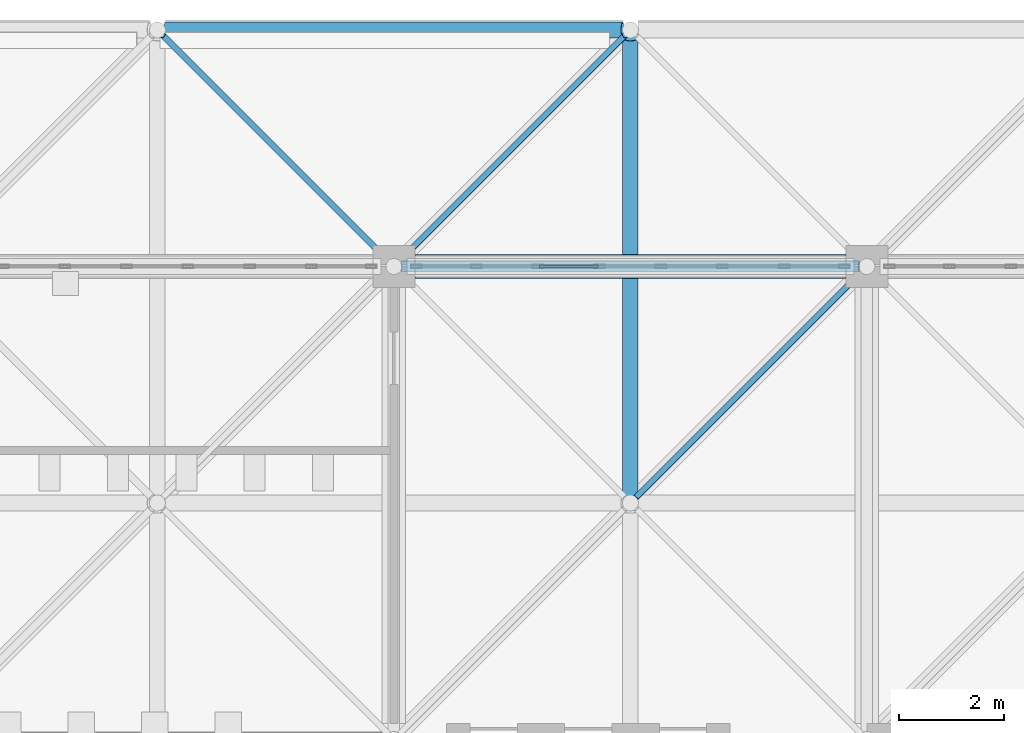
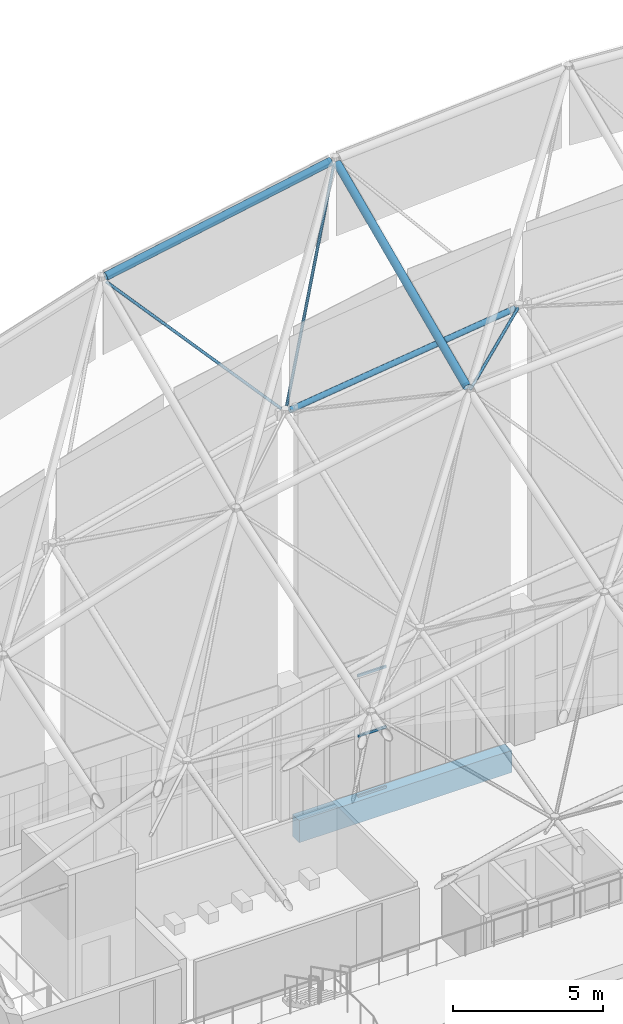
# One storey, part 116 of 437: 9 members, 1 beam, 1 element without a shape of its own.
"""IFC4 building model written with IfcOpenShell, lengths in metres."""

import ifcopenshell
import ifcopenshell.guid

model = None  # the IFC model being written
_history = None  # IfcOwnerHistory: only IFC2X3 demands one
_inside = {}  # id of a spatial element -> (the spatial element, [elements in it])
_under = {}  # id of a project, library or spatial element -> (it, [spatial elements below it])
_declared = {}  # id of a project -> (the project, [libraries it declares])
_typed = {}  # id of a type object -> (the type object, [elements of that type])
_made_of = {}  # id of a material, layer set ... -> (it, [elements and type objects made of it])


def new_model(schema):
    """Start an empty IFC model of exactly this schema.

    Asked for "IFC4X3", IfcOpenShell would pick the latest addendum, in which some entities
    have other attributes; the version numbers below select the first issue.
    IFC2X3 requires an IfcOwnerHistory on every rooted entity: one is made here for all.
    """
    global model, _history
    if schema == "IFC4X3":
        model = ifcopenshell.file(schema_version=(4, 3, 0, 0))
    else:
        model = ifcopenshell.file(schema=schema)
    _inside.clear()
    _under.clear()
    _declared.clear()
    _typed.clear()
    _made_of.clear()
    _history = None
    if model.schema == "IFC2X3":
        org = make("IfcOrganization", Name="unknown")
        user = make(
            "IfcPersonAndOrganization",
            ThePerson=make("IfcPerson", FamilyName="unknown"),
            TheOrganization=org,
        )
        app = make(
            "IfcApplication",
            ApplicationDeveloper=org,
            Version="unknown",
            ApplicationFullName="unknown",
            ApplicationIdentifier="unknown",
        )
        _history = make(
            "IfcOwnerHistory",
            OwningUser=user,
            OwningApplication=app,
            ChangeAction="ADDED",
            CreationDate=0,
        )
    return model


def make(cls, **values):
    """One entity of the class cls with the attributes given. An attribute that is None is left unset."""
    return model.create_entity(
        cls, **{name: value for name, value in values.items() if value is not None}
    )


def rooted(cls, **values):
    """An entity with a GlobalId (a new one), such as an element, a storey or a relation."""
    return make(cls, GlobalId=ifcopenshell.guid.new(), OwnerHistory=_history, **values)


def si_unit(unit_type, name, prefix=None):
    """IfcSIUnit, for example si_unit("LENGTHUNIT", "METRE", prefix="MILLI")."""
    return make("IfcSIUnit", UnitType=unit_type, Prefix=prefix, Name=name)


def assignment(units):
    """IfcUnitAssignment: the units of a project."""
    return None if units is None else make("IfcUnitAssignment", Units=units)


def point(xyz):
    """IfcCartesianPoint."""
    return None if xyz is None else make("IfcCartesianPoint", Coordinates=xyz)


def direction(xyz):
    """IfcDirection."""
    return None if xyz is None else make("IfcDirection", DirectionRatios=xyz)


def frame(location, z_axis=None, x_axis=None):
    """IfcAxis2Placement3D, a coordinate frame: its origin and axes. An axis left out is left unset."""
    return make(
        "IfcAxis2Placement3D",
        Location=point(location),
        Axis=direction(z_axis),
        RefDirection=direction(x_axis),
    )


def frame_2d(location, x_axis=None):
    """IfcAxis2Placement2D, a coordinate frame in the plane: its origin and x axis."""
    return make(
        "IfcAxis2Placement2D", Location=point(location), RefDirection=direction(x_axis)
    )


def origin():
    """The frame at (0, 0, 0) with its axes left unset."""
    return frame((0.0, 0.0, 0.0))


def origin_2d():
    """The frame at (0, 0) in the plane with its x axis left unset."""
    return frame_2d((0.0, 0.0))


def place(relative_to, where):
    """IfcLocalPlacement: puts the frame where relative to a parent placement (None: the world)."""
    return make(
        "IfcLocalPlacement", PlacementRelTo=relative_to, RelativePlacement=where
    )


def context(
    kind, dimensions, precision=None, world=None, true_north=None, identifier=None
):
    """IfcGeometricRepresentationContext, for example the 3D "Model" context."""
    return make(
        "IfcGeometricRepresentationContext",
        ContextIdentifier=identifier,
        ContextType=kind,
        CoordinateSpaceDimension=dimensions,
        Precision=precision,
        WorldCoordinateSystem=world,
        TrueNorth=true_north,
    )


def subcontext(parent, identifier, kind, view, scale=None):
    """IfcGeometricRepresentationSubContext, for example "Body" below "Model"."""
    return make(
        "IfcGeometricRepresentationSubContext",
        ContextIdentifier=identifier,
        ContextType=kind,
        ParentContext=parent,
        TargetScale=scale,
        TargetView=view,
    )


def project(units=None, contexts=None):
    """IfcProject with its units and contexts."""
    return rooted(
        "IfcProject",
        Name="project",
        RepresentationContexts=contexts,
        UnitsInContext=assignment(units),
    )


def spatial(cls, under=None, at=None, **own):
    """A site, building, storey or space (cls), placed at a placement, below another one or the project."""
    s = rooted(cls, ObjectPlacement=at, **own)
    if under is not None:
        _under.setdefault(under.id(), (under, []))[1].append(s)
    return s


def profile(cls, at=None, kind="AREA", **sizes):
    """A parametric profile (cls). Its sizes go by their IFC names, for example OverallWidth=200.0."""
    return make(cls, ProfileType=kind, Position=at, **sizes)


def rectangle(**sizes):
    """IfcRectangleProfileDef."""
    return profile("IfcRectangleProfileDef", **sizes)


def hollow_rectangle(**sizes):
    """IfcRectangleHollowProfileDef."""
    return profile("IfcRectangleHollowProfileDef", **sizes)


def hollow_circle(**sizes):
    """IfcCircleHollowProfileDef."""
    return profile("IfcCircleHollowProfileDef", **sizes)


def extrude(swept, where, along, depth):
    """IfcExtrudedAreaSolid: the profile swept, set in the frame where, extruded along a direction by depth."""
    return make(
        "IfcExtrudedAreaSolid",
        SweptArea=swept,
        Position=where,
        ExtrudedDirection=direction(along),
        Depth=depth,
    )


def shape(context_of_items, identifier, shape_type, items):
    """IfcShapeRepresentation: the items that make up one representation, for example the "Body"."""
    return make(
        "IfcShapeRepresentation",
        ContextOfItems=context_of_items,
        RepresentationIdentifier=identifier,
        RepresentationType=shape_type,
        Items=items,
    )


def material(Name=None, Category=None):
    """IfcMaterial."""
    return make("IfcMaterial", Name=Name, Category=Category)


def layer(
    of_material, thickness, ventilated=None, Name=None, Category=None, Priority=None
):
    """IfcMaterialLayer: one layer of a wall or slab, of a material (None: an air gap)."""
    return make(
        "IfcMaterialLayer",
        Material=of_material,
        LayerThickness=thickness,
        IsVentilated=ventilated,
        Name=Name,
        Category=Category,
        Priority=Priority,
    )


def layer_set(layers, Name=None):
    """IfcMaterialLayerSet."""
    return make("IfcMaterialLayerSet", MaterialLayers=layers, LayerSetName=Name)


def material_profile(
    of_material, cross_section, Name=None, Category=None, Priority=None
):
    """IfcMaterialProfile: a cross section and its material."""
    return make(
        "IfcMaterialProfile",
        Name=Name,
        Material=of_material,
        Profile=cross_section,
        Priority=Priority,
        Category=Category,
    )


def profile_set(profiles, Name=None, composite=None):
    """IfcMaterialProfileSet."""
    return make(
        "IfcMaterialProfileSet",
        Name=Name,
        MaterialProfiles=profiles,
        CompositeProfile=composite,
    )


def made_of(thing, what):
    """Note that an element or type object is made of a material, layer set ...; save() writes the relation."""
    if what is not None:
        _made_of.setdefault(what.id(), (what, []))[1].append(thing)
    return thing


def type_object(cls, material=None, **own):
    """A type object (cls), such as IfcWallType, which elements share."""
    return made_of(rooted(cls, **own), material)


def element(
    cls,
    number,
    at=None,
    inside=None,
    cuts=None,
    type_object=None,
    material=None,
    context=None,
    identifier="Body",
    shape_type=None,
    held_by="IfcProductDefinitionShape",
    body=None,
    shapes=None,
    **own,
):
    """One element of the class cls, such as IfcWall. Its Tag is "e" and its number.

    at: its placement. inside: the storey or other place that contains it. cuts: it is an
    opening in that element (IfcRelVoidsElement). A single representation is given by context,
    identifier, shape_type and body (its items); several are given by shapes. held_by: the class
    of the entity that holds the representations. save() writes the other relations.
    """
    e = rooted(cls, Tag="e%d" % number, ObjectPlacement=at, **own)
    if body is not None:
        shapes = [shape(context, identifier, shape_type, body)]
    if shapes is not None:
        e.Representation = make(held_by, Representations=shapes)
    if inside is not None:
        _inside.setdefault(inside.id(), (inside, []))[1].append(e)
    if cuts is not None:
        rooted(
            "IfcRelVoidsElement", RelatingBuildingElement=cuts, RelatedOpeningElement=e
        )
    if type_object is not None:
        _typed.setdefault(type_object.id(), (type_object, []))[1].append(e)
    return made_of(e, material)


def aggregate(whole, parts):
    """IfcRelAggregates: a whole, such as a stair, and the parts it consists of."""
    return rooted("IfcRelAggregates", RelatingObject=whole, RelatedObjects=parts)


def save(model, path):
    """Write the relations noted so far, then the file.

    IfcRelAggregates (storeys below a building ...), IfcRelContainedInSpatialStructure (elements
    in a storey), IfcRelDefinesByType, IfcRelAssociatesMaterial and IfcRelDeclares: one each for
    every whole, place, type object, material and project.
    """
    for whole, parts in _under.values():
        aggregate(whole, parts)
    for where, things in _inside.values():
        rooted(
            "IfcRelContainedInSpatialStructure",
            RelatedElements=things,
            RelatingStructure=where,
        )
    for kind, things in _typed.values():
        rooted("IfcRelDefinesByType", RelatedObjects=things, RelatingType=kind)
    for what, things in _made_of.values():
        rooted("IfcRelAssociatesMaterial", RelatedObjects=things, RelatingMaterial=what)
    for by, libraries in _declared.values():
        rooted("IfcRelDeclares", RelatingContext=by, RelatedDefinitions=libraries)
    model.write(path)


model = new_model("IFC4")

# Units and contexts
model_context = context("Model", 3, precision=1e-05, world=origin(), true_north=direction((0.0, 1.0)))
body_context = subcontext(model_context, "Body", "Model", "MODEL_VIEW")
ifc_project = project(units=[si_unit("LENGTHUNIT", "METRE"), si_unit("AREAUNIT", "SQUARE_METRE"), si_unit("VOLUMEUNIT", "CUBIC_METRE"), si_unit("PLANEANGLEUNIT", "RADIAN"), si_unit("MASSUNIT", "GRAM", prefix="KILO")], contexts=[model_context])

# Site, building, storey
site_placement = place(None, origin())
site = spatial("IfcSite", under=ifc_project, at=site_placement, CompositionType="ELEMENT")
building_placement = place(site_placement, origin())
building = spatial("IfcBuilding", under=site, at=building_placement, Name="Opaline Strait Convention Centre", CompositionType="ELEMENT")
storey_placement = place(building_placement, frame((0.0, 0.0, 11.5)))
storey = spatial("IfcBuildingStorey", under=building, at=storey_placement, Name="L02", CompositionType="ELEMENT", Elevation=11.5)

# Curtain wall, members
ifc_material_1 = material(Name="Aluminium framed double glazing", Category="aluminium")
ifc_layer = layer(ifc_material_1, 0.199951171875)
ifc_layer_set = layer_set([ifc_layer], Name="Aluminium framed double glazing")
curtain_wall_type = type_object("IfcCurtainWallType", Name="Curtain wall 1250", PredefinedType="NOTDEFINED", material=ifc_layer_set)
curtain_wall_placement = place(storey_placement, origin())
curtain_wall = element("IfcCurtainWall", 1, at=curtain_wall_placement, inside=storey, type_object=curtain_wall_type, Name="Curtain wall N-27-L02", PredefinedType="NOTDEFINED")
ifc_material_2 = material(Name="Aluminium alloy 6063", Category="aluminium")
ifc_material_profile_1 = material_profile(ifc_material_2, hollow_rectangle(XDim=0.06005859375, YDim=0.10009765625, WallThickness=0.0029296875, at=origin_2d()), Name="TRANSOM 60x100x3")
ifc_profile_set_1 = profile_set([ifc_material_profile_1], Name="Aluminium alloy 6063")
member_type_1 = type_object("IfcMemberType", Name="Curtain wall transom 60 x 100", PredefinedType="USERDEFINED", material=ifc_profile_set_1)
member_1_placement = place(storey_placement, frame((29.772705078125, 180.0, -0.25), z_axis=(1.0, 0.0, 0.0), x_axis=(0.0, 1.0, 0.0)))
member_1 = element("IfcMember", 2, at=member_1_placement, type_object=member_type_1, Name="PCW transom 3.1", ObjectType="TRANSOM", PredefinedType="USERDEFINED", context=body_context, shape_type="SweptSolid", body=[
    extrude(hollow_rectangle(XDim=0.06005859375, YDim=0.10009765625, WallThickness=0.0029296875, at=origin_2d()), origin(), (0.0, 0.0, 1.0), 1.111572265625),
])
member_2_placement = place(storey_placement, frame((29.772705078125, 180.0, 2.2099609375), z_axis=(1.0, 0.0, 0.0), x_axis=(0.0, 1.0, 0.0)))
member_2 = element("IfcMember", 3, at=member_2_placement, type_object=member_type_1, Name="PCW transom 3.2", ObjectType="TRANSOM", PredefinedType="USERDEFINED", context=body_context, shape_type="SweptSolid", body=[
    extrude(hollow_rectangle(XDim=0.06005859375, YDim=0.10009765625, WallThickness=0.0029296875, at=origin_2d()), origin(), (0.0, 0.0, 1.0), 1.111572265625),
])
member_3_placement = place(storey_placement, frame((29.772705078125, 180.0, 4.669921875), z_axis=(1.0, 0.0, 0.0), x_axis=(0.0, 1.0, 0.0)))
member_3 = element("IfcMember", 4, at=member_3_placement, type_object=member_type_1, Name="PCW transom 3.3", ObjectType="TRANSOM", PredefinedType="USERDEFINED", context=body_context, shape_type="SweptSolid", body=[
    extrude(hollow_rectangle(XDim=0.06005859375, YDim=0.10009765625, WallThickness=0.0029296875, at=origin_2d()), origin(), (0.0, 0.0, 1.0), 1.111572265625),
])
aggregate(curtain_wall, [member_1, member_2, member_3])

# Beam
ifc_material_3 = material(Name="Concrete C35", Category="concrete")
ifc_material_profile_2 = material_profile(ifc_material_3, rectangle(XDim=0.449951171875, YDim=0.89990234375, at=origin_2d()), Name="RC 450x900")
ifc_profile_set_2 = profile_set([ifc_material_profile_2], Name="Concrete C35")
beam_type = type_object("IfcBeamType", Name="RC floor beam 450x900 C35", PredefinedType="BEAM", material=ifc_profile_set_2)
beam_placement = place(storey_placement, frame((27.39990234375, 180.0, -0.72998046875), z_axis=(1.0, 0.0, 0.0), x_axis=(0.0, 1.0, 0.0)))
element("IfcBeam", 5, at=beam_placement, inside=storey, type_object=beam_type, Name="PFB1 L02 beam 4/W-5/W", PredefinedType="BEAM", context=body_context, shape_type="SweptSolid", body=[
    extrude(rectangle(XDim=0.449951171875, YDim=0.89990234375, at=origin_2d()), origin(), (0.0, 0.0, 1.0), 8.2001953125),
])

# Members
ifc_material_4 = material(Name="Steel Q355B", Category="steel")
ifc_material_profile_3 = material_profile(ifc_material_4, hollow_circle(Radius=0.109619140625, WallThickness=0.008056640625, at=origin_2d()), Name="CHS 219x8")
ifc_profile_set_3 = profile_set([ifc_material_profile_3], Name="Steel Q355B")
member_type_2 = type_object("IfcMemberType", Name="Shell truss bottom chord CHS 219x8", PredefinedType="CHORD", material=ifc_profile_set_3)
member_4_placement = place(storey_placement, frame((27.14990234375, 180.0, 16.42822265625), z_axis=(0.992030967972, 0.0, 0.125994279971), x_axis=(0.0, 1.0, 0.0)))
element("IfcMember", 6, at=member_4_placement, inside=storey, type_object=member_type_2, Name="PBC3 bottom chord X3-8", PredefinedType="CHORD", context=body_context, shape_type="SweptSolid", body=[
    extrude(hollow_circle(Radius=0.109619140625, WallThickness=0.008056640625, at=origin_2d()), origin(), (0.0, 0.0, 1.0), 8.77001953125),
])
ifc_material_profile_4 = material_profile(ifc_material_4, hollow_circle(Radius=0.1494140625, WallThickness=0.010009765625, at=origin_2d()), Name="CHS 299x10")
ifc_profile_set_4 = profile_set([ifc_material_profile_4], Name="Steel Q355B")
member_type_3 = type_object("IfcMemberType", Name="Shell truss top chord CHS 299x10", PredefinedType="CHORD", material=ifc_profile_set_4)
member_5_placement = place(storey_placement, frame((22.64990234375, 184.5, 20.730712890625), z_axis=(0.982337601302, 0.0, 0.187117174701), x_axis=(0.0, 1.0, 0.0)))
element("IfcMember", 7, at=member_5_placement, inside=storey, type_object=member_type_3, Name="PTC2 top chord X3-9", PredefinedType="CHORD", context=body_context, shape_type="SweptSolid", body=[
    extrude(hollow_circle(Radius=0.1494140625, WallThickness=0.010009765625, at=origin_2d()), origin(), (0.0, 0.0, 1.0), 8.856689453125),
])
member_6_placement = place(storey_placement, frame((31.5, 175.64990234375, 18.483154296875), z_axis=(0.0, 0.913813663494, 0.406133707555), x_axis=(-1.0, 0.0, 0.0)))
element("IfcMember", 8, at=member_6_placement, inside=storey, type_object=member_type_3, Name="PTC2 top chord Y4-8", PredefinedType="CHORD", context=body_context, shape_type="SweptSolid", body=[
    extrude(hollow_circle(Radius=0.1494140625, WallThickness=0.010009765625, at=origin_2d()), origin(), (0.0, 0.0, 1.0), 9.520751953125),
])
ifc_material_profile_5 = material_profile(ifc_material_4, hollow_circle(Radius=0.056884765625, WallThickness=0.006103515625, at=origin_2d()), Name="CHS 114x6")
ifc_profile_set_5 = profile_set([ifc_material_profile_5], Name="Steel Q355B")
member_type_4 = type_object("IfcMemberType", Name="Shell truss web CHS 114x6", PredefinedType="BRACE", material=ifc_profile_set_5)
member_7_placement = place(storey_placement, frame((26.893798828125, 180.106201171875, 16.510498046875), z_axis=(-0.58618937533, 0.58618937533, 0.559253102361), x_axis=(-0.707106781187, -0.707106781187, 0.0)))
element("IfcMember", 9, at=member_7_placement, inside=storey, type_object=member_type_4, Name="PWB3 web 3-8ad", PredefinedType="BRACE", context=body_context, shape_type="SweptSolid", body=[
    extrude(hollow_circle(Radius=0.056884765625, WallThickness=0.006103515625, at=origin_2d()), origin(), (0.0, 0.0, 1.0), 7.314453125),
])
member_8_placement = place(storey_placement, frame((27.106201171875, 180.106201171875, 16.55078125), z_axis=(0.514185644743, 0.514185644743, 0.686459208897), x_axis=(-0.707106781187, 0.707106781187, 0.0)))
element("IfcMember", 10, at=member_8_placement, inside=storey, type_object=member_type_4, Name="PWB3 web 3-8bd", PredefinedType="BRACE", context=body_context, shape_type="SweptSolid", body=[
    extrude(hollow_circle(Radius=0.056884765625, WallThickness=0.006103515625, at=origin_2d()), origin(), (0.0, 0.0, 1.0), 8.338623046875),
])
member_9_placement = place(storey_placement, frame((35.893798828125, 179.893798828125, 17.572509765625), z_axis=(-0.700674687609, -0.700674687609, 0.134573267356), x_axis=(0.707106781187, -0.707106781187, 0.0)))
element("IfcMember", 11, at=member_9_placement, inside=storey, type_object=member_type_4, Name="PWB3 web 4-8ac", PredefinedType="BRACE", context=body_context, shape_type="SweptSolid", body=[
    extrude(hollow_circle(Radius=0.056884765625, WallThickness=0.006103515625, at=origin_2d()), origin(), (0.0, 0.0, 1.0), 6.119140625),
])

save(model, "model.ifc")
